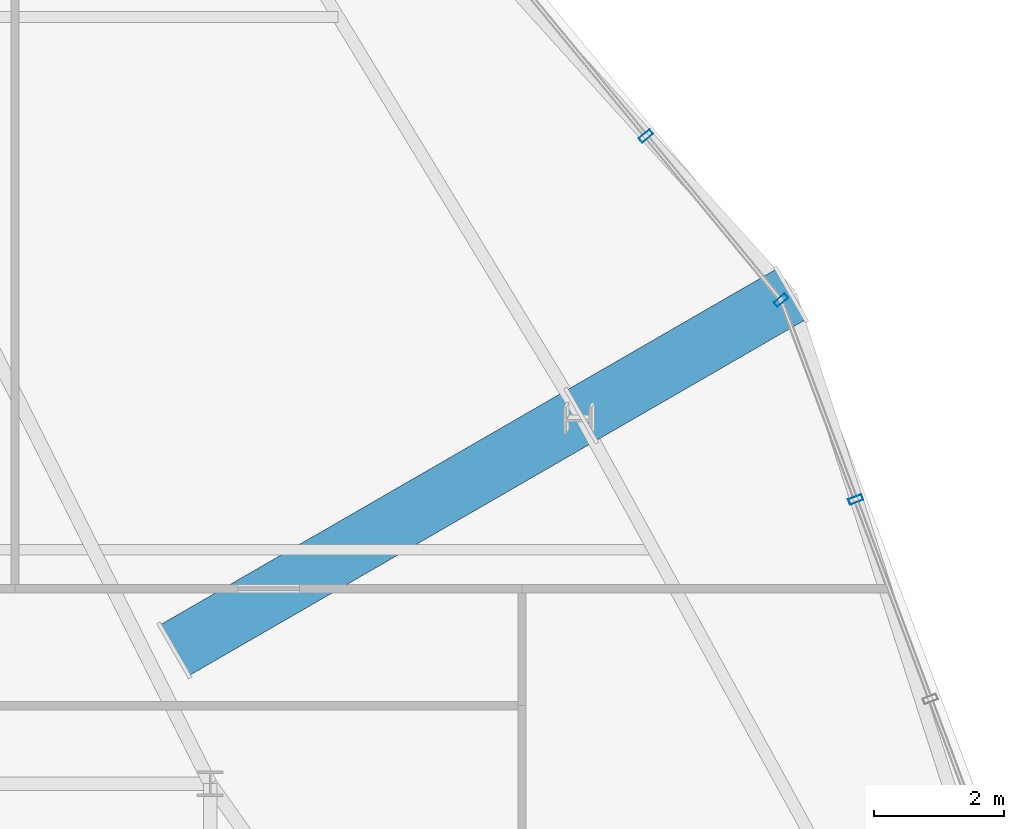
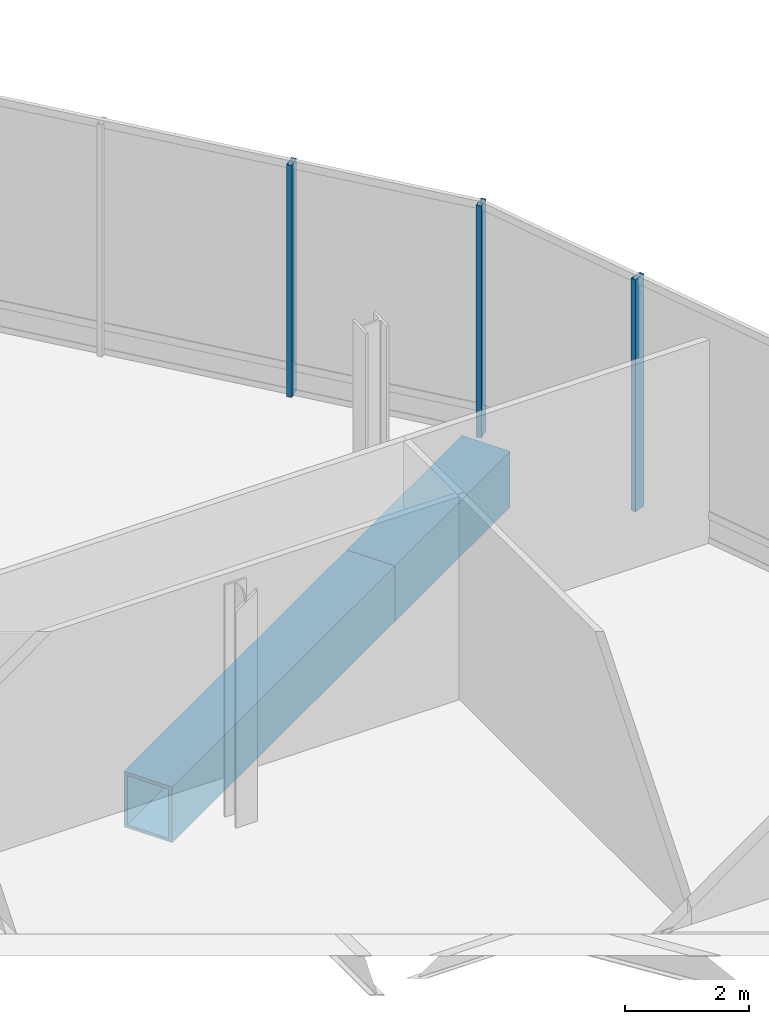
# One storey, part 14 of 28: 3 members, 2 beams, 2 elements without a shape of their own.
"""IFC4 building model written with IfcOpenShell, lengths in metres."""

from ifc_helpers import new_model, si_unit, direction, frame, origin, origin_2d, place, context, subcontext, project, spatial, hollow_rectangle, extrude, material, layer, layer_set, material_profile, profile_set, type_object, element, aggregate, save


model = new_model("IFC4")

# Units and contexts
model_context = context("Model", 3, precision=1e-05, world=origin(), true_north=direction((0.0, 1.0)))
body_context = subcontext(model_context, "Body", "Model", "MODEL_VIEW")
ifc_project = project(units=[si_unit("LENGTHUNIT", "METRE"), si_unit("AREAUNIT", "SQUARE_METRE"), si_unit("VOLUMEUNIT", "CUBIC_METRE"), si_unit("PLANEANGLEUNIT", "RADIAN"), si_unit("MASSUNIT", "GRAM", prefix="KILO")], contexts=[model_context])

# Site, building, storey
site_placement = place(None, origin())
site = spatial("IfcSite", under=ifc_project, at=site_placement, CompositionType="ELEMENT")
building_placement = place(site_placement, origin())
building = spatial("IfcBuilding", under=site, at=building_placement, Name="Ndaravel Arena Tower", CompositionType="ELEMENT")
storey_placement = place(building_placement, frame((0.0, 0.0, 213.199951171875)))
storey = spatial("IfcBuildingStorey", under=building, at=storey_placement, Name="L51", CompositionType="ELEMENT", Elevation=213.199951171875)

# Beams
ifc_material_1 = material(Name="Steel S460", Category="steel")
ifc_material_profile_1 = material_profile(ifc_material_1, hollow_rectangle(XDim=0.89990234375, YDim=1.10009765625, WallThickness=0.06494140625, at=origin_2d()), Name="BOX 1100x900x65")
ifc_profile_set_1 = profile_set([ifc_material_profile_1], Name="Steel S460")
beam_type = type_object("IfcBeamType", Name="BM-STAR-BOX1100", PredefinedType="BEAM", material=ifc_profile_set_1)
beam_1_placement = place(storey_placement, frame((49.262451171875, 25.258544921875, -0.829833984375), z_axis=(0.866018442252, 0.500012057535, 0.0), x_axis=(-0.500012057535, 0.866018442252, 0.0)))
element("IfcBeam", 1, at=beam_1_placement, inside=storey, type_object=beam_type, Name="L51 Star Cantilever Backspan Girder SBG-4", PredefinedType="BEAM", context=body_context, shape_type="SweptSolid", body=[
    extrude(hollow_rectangle(XDim=0.89990234375, YDim=1.10009765625, WallThickness=0.06494140625, at=origin_2d()), origin(), (0.0, 0.0, 1.0), 7.199951171875),
])
beam_2_placement = place(storey_placement, frame((55.497802734375, 28.858642578125, -0.829833984375), z_axis=(0.86600681122, 0.500032201883, 0.0), x_axis=(-0.500032201883, 0.86600681122, 0.0)))
element("IfcBeam", 2, at=beam_2_placement, inside=storey, type_object=beam_type, Name="L51 Star Cantilever Tip Girder SCG-4", PredefinedType="BEAM", context=body_context, shape_type="SweptSolid", body=[
    extrude(hollow_rectangle(XDim=0.89990234375, YDim=1.10009765625, WallThickness=0.06494140625, at=origin_2d()), origin(), (0.0, 0.0, 1.0), 3.729736328125),
])

# Curtain wall, member
ifc_material_2 = material(Name="Aluminium", Category="aluminium")
ifc_layer = layer(ifc_material_2, 0.179931640625)
ifc_layer_set = layer_set([ifc_layer], Name="Aluminium")
curtain_wall_type = type_object("IfcCurtainWallType", Name="CW-SYS-04", PredefinedType="NOTDEFINED", material=ifc_layer_set)
curtain_wall_1_placement = place(storey_placement, origin())
curtain_wall_1 = element("IfcCurtainWall", 3, at=curtain_wall_1_placement, inside=storey, type_object=curtain_wall_type, Name="L51 Faceted Crystal Curtain Wall CW-L51-E06", PredefinedType="NOTDEFINED")
ifc_material_3 = material(Name="Aluminium", Category="aluminium")
ifc_material_profile_2 = material_profile(ifc_material_3, hollow_rectangle(XDim=0.090087890625, YDim=0.219970703125, WallThickness=0.0048828125, at=origin_2d()), Name="CW MULLION 90x220x5")
ifc_profile_set_2 = profile_set([ifc_material_profile_2], Name="Aluminium")
member_type = type_object("IfcMemberType", Name="MEM-CW-MUL220", PredefinedType="MULLION", material=ifc_profile_set_2)
member_1_placement = place(storey_placement, frame((59.7353515625, 27.5732421875, 0.0), z_axis=(0.0, 0.0, 1.0), x_axis=(-0.350272772461, 0.936647737878, 0.0)))
member_1 = element("IfcMember", 4, at=member_1_placement, type_object=member_type, Name="CW-L51-E06 Mullion 05", PredefinedType="MULLION", context=body_context, shape_type="SweptSolid", body=[
    extrude(hollow_rectangle(XDim=0.090087890625, YDim=0.219970703125, WallThickness=0.0048828125, at=origin_2d()), origin(), (0.0, 0.0, 1.0), 4.580078125),
])
aggregate(curtain_wall_1, [member_1])

# Curtain wall, members
curtain_wall_2_placement = place(storey_placement, origin())
curtain_wall_2 = element("IfcCurtainWall", 5, at=curtain_wall_2_placement, inside=storey, type_object=curtain_wall_type, Name="L51 Faceted Crystal Curtain Wall CW-L51-E07", PredefinedType="NOTDEFINED")
member_2_placement = place(storey_placement, frame((58.58740234375, 30.642578125, 0.0), z_axis=(0.0, 0.0, 1.0), x_axis=(-0.636024349169, 0.771668988144, 0.0)))
member_2 = element("IfcMember", 6, at=member_2_placement, type_object=member_type, Name="CW-L51-E07 Mullion 00", PredefinedType="MULLION", context=body_context, shape_type="SweptSolid", body=[
    extrude(hollow_rectangle(XDim=0.090087890625, YDim=0.219970703125, WallThickness=0.0048828125, at=origin_2d()), origin(), (0.0, 0.0, 1.0), 4.580078125),
])
member_3_placement = place(storey_placement, frame((56.506591796875, 33.167236328125, 0.0), z_axis=(0.0, 0.0, 1.0), x_axis=(-0.636024349169, 0.771668988144, 0.0)))
member_3 = element("IfcMember", 7, at=member_3_placement, type_object=member_type, Name="CW-L51-E07 Mullion 01", PredefinedType="MULLION", context=body_context, shape_type="SweptSolid", body=[
    extrude(hollow_rectangle(XDim=0.090087890625, YDim=0.219970703125, WallThickness=0.0048828125, at=origin_2d()), origin(), (0.0, 0.0, 1.0), 4.580078125),
])
aggregate(curtain_wall_2, [member_2, member_3])

save(model, "model.ifc")
